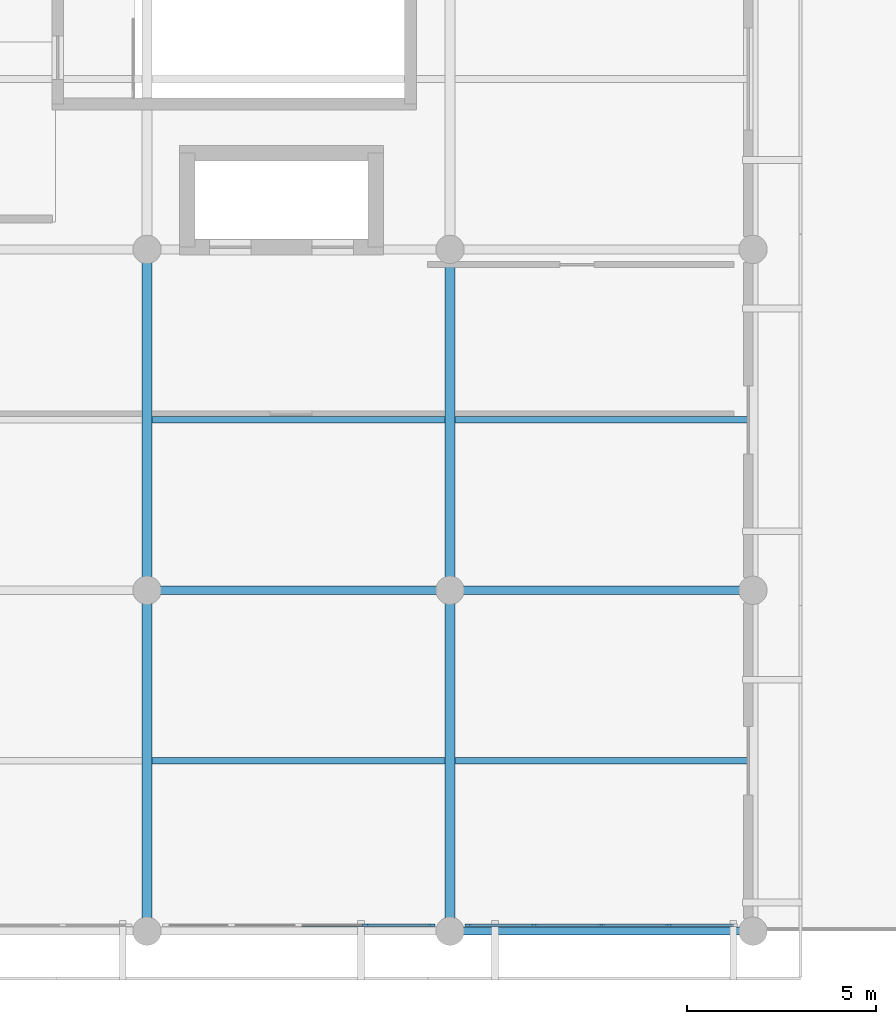
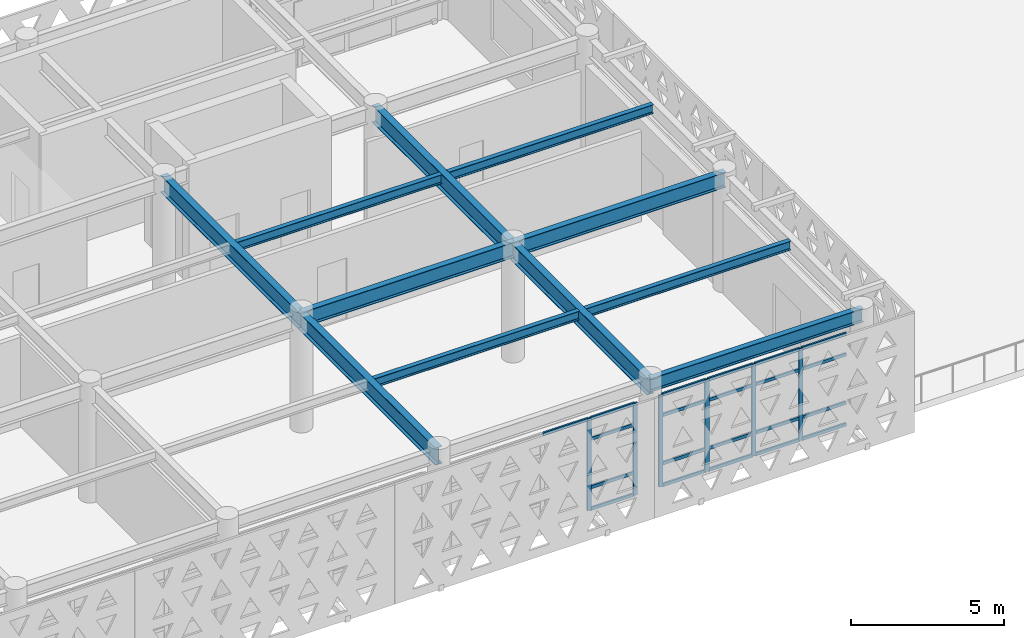
# One storey, part 11 of 26: 27 members, 11 beams, 2 elements without a shape of their own.
"""IFC4 building model written with IfcOpenShell, lengths in metres."""

from ifc_helpers import new_model, si_unit, direction, frame, origin, origin_2d, place, context, subcontext, project, spatial, rectangle, i_section, extrude, material, layer, layer_set, material_profile, profile_set, type_object, element, aggregate, save


model = new_model("IFC4")

# Units and contexts
model_context = context("Model", 3, precision=1e-05, world=origin(), true_north=direction((0.0, 1.0)))
body_context = subcontext(model_context, "Body", "Model", "MODEL_VIEW")
ifc_project = project(units=[si_unit("LENGTHUNIT", "METRE"), si_unit("AREAUNIT", "SQUARE_METRE"), si_unit("VOLUMEUNIT", "CUBIC_METRE"), si_unit("PLANEANGLEUNIT", "RADIAN"), si_unit("MASSUNIT", "GRAM", prefix="KILO")], contexts=[model_context])

# Site, building, storey
site_placement = place(None, origin())
site = spatial("IfcSite", under=ifc_project, at=site_placement, CompositionType="ELEMENT")
building_placement = place(site_placement, origin())
building = spatial("IfcBuilding", under=site, at=building_placement, Name="Tlacozan Convention Centre", CompositionType="ELEMENT")
storey_placement = place(building_placement, frame((0.0, 0.0, 21.0)))
storey = spatial("IfcBuildingStorey", under=building, at=storey_placement, Name="L04", CompositionType="ELEMENT", Elevation=21.0)

# Curtain wall, members
ifc_material_1 = material(Name="Dark Bronze Anodised Aluminium", Category="aluminium")
ifc_layer = layer(ifc_material_1, 0.159912109375)
ifc_layer_set = layer_set([ifc_layer], Name="Dark Bronze Anodised Aluminium")
curtain_wall_type = type_object("IfcCurtainWallType", Name="Unitised Congress L04 South CW05", PredefinedType="NOTDEFINED", material=ifc_layer_set)
curtain_wall_1_placement = place(storey_placement, origin())
curtain_wall_1 = element("IfcCurtainWall", 1, at=curtain_wall_1_placement, inside=storey, type_object=curtain_wall_type, Name="L04 CW-05 Run 132", PredefinedType="NOTDEFINED")
ifc_material_profile_1 = material_profile(ifc_material_1, rectangle(XDim=0.06494140625, YDim=0.159912109375, at=origin_2d()), Name="ALU 65x160")
ifc_profile_set_1 = profile_set([ifc_material_profile_1], Name="Dark Bronze Anodised Aluminium")
member_type_1 = type_object("IfcMemberType", Name="Curtain Wall Mullion 65x160", PredefinedType="MULLION", material=ifc_profile_set_1)
member_1_placement = place(storey_placement, frame((85.77490234375, 0.159912109375, 0.0), z_axis=(0.0, 0.0, 1.0), x_axis=(0.0, 1.0, 0.0)))
member_1 = element("IfcMember", 2, at=member_1_placement, type_object=member_type_1, Name="CW-05 mullion 4", PredefinedType="MULLION", context=body_context, shape_type="SweptSolid", body=[
    extrude(rectangle(XDim=0.06494140625, YDim=0.159912109375, at=origin_2d()), origin(), (0.0, 0.0, 1.0), 3.679931640625),
])
member_2_placement = place(storey_placement, frame((87.517578125, 0.159912109375, 0.0), z_axis=(0.0, 0.0, 1.0), x_axis=(0.0, 1.0, 0.0)))
member_2 = element("IfcMember", 3, at=member_2_placement, type_object=member_type_1, Name="CW-05 mullion 5", PredefinedType="MULLION", context=body_context, shape_type="SweptSolid", body=[
    extrude(rectangle(XDim=0.06494140625, YDim=0.159912109375, at=origin_2d()), origin(), (0.0, 0.0, 1.0), 3.679931640625),
])

curtain_wall_2_placement = place(storey_placement, origin())
curtain_wall_2 = element("IfcCurtainWall", 4, at=curtain_wall_2_placement, inside=storey, type_object=curtain_wall_type, Name="L04 CW-05 Run 133", PredefinedType="NOTDEFINED")
member_3_placement = place(storey_placement, frame((88.482421875, 0.159912109375, 0.0), z_axis=(0.0, 0.0, 1.0), x_axis=(0.0, 1.0, 0.0)))
member_3 = element("IfcMember", 5, at=member_3_placement, type_object=member_type_1, Name="CW-05 mullion 1", PredefinedType="MULLION", context=body_context, shape_type="SweptSolid", body=[
    extrude(rectangle(XDim=0.06494140625, YDim=0.159912109375, at=origin_2d()), origin(), (0.0, 0.0, 1.0), 3.679931640625),
])
member_4_placement = place(storey_placement, frame((90.22509765625, 0.159912109375, 0.0), z_axis=(0.0, 0.0, 1.0), x_axis=(0.0, 1.0, 0.0)))
member_4 = element("IfcMember", 6, at=member_4_placement, type_object=member_type_1, Name="CW-05 mullion 2", PredefinedType="MULLION", context=body_context, shape_type="SweptSolid", body=[
    extrude(rectangle(XDim=0.06494140625, YDim=0.159912109375, at=origin_2d()), origin(), (0.0, 0.0, 1.0), 3.679931640625),
])
member_5_placement = place(storey_placement, frame((92.0, 0.159912109375, 0.0), z_axis=(0.0, 0.0, 1.0), x_axis=(0.0, 1.0, 0.0)))
member_5 = element("IfcMember", 7, at=member_5_placement, type_object=member_type_1, Name="CW-05 mullion 3", PredefinedType="MULLION", context=body_context, shape_type="SweptSolid", body=[
    extrude(rectangle(XDim=0.06494140625, YDim=0.159912109375, at=origin_2d()), origin(), (0.0, 0.0, 1.0), 3.679931640625),
])
member_6_placement = place(storey_placement, frame((93.77490234375, 0.159912109375, 0.0), z_axis=(0.0, 0.0, 1.0), x_axis=(0.0, 1.0, 0.0)))
member_6 = element("IfcMember", 8, at=member_6_placement, type_object=member_type_1, Name="CW-05 mullion 4", PredefinedType="MULLION", context=body_context, shape_type="SweptSolid", body=[
    extrude(rectangle(XDim=0.06494140625, YDim=0.159912109375, at=origin_2d()), origin(), (0.0, 0.0, 1.0), 3.679931640625),
])

# Member
ifc_material_profile_2 = material_profile(ifc_material_1, rectangle(XDim=0.06494140625, YDim=0.125, at=origin_2d()), Name="ALU 65x125")
ifc_profile_set_2 = profile_set([ifc_material_profile_2], Name="Dark Bronze Anodised Aluminium")
member_type_2 = type_object("IfcMemberType", Name="Curtain Wall Transom 65x125", PredefinedType="USERDEFINED", material=ifc_profile_set_2)
member_7_placement = place(storey_placement, frame((84.032470703125, 0.159912109375, 3.6474609375), z_axis=(1.0, 0.0, 0.0), x_axis=(0.0, 1.0, 0.0)))
member_7 = element("IfcMember", 9, at=member_7_placement, type_object=member_type_2, Name="CW-05 transom 3.4", ObjectType="TRANSOM", PredefinedType="USERDEFINED", context=body_context, shape_type="SweptSolid", body=[
    extrude(rectangle(XDim=0.06494140625, YDim=0.125, at=origin_2d()), origin(), (0.0, 0.0, 1.0), 1.7099609375),
])

member_8_placement = place(storey_placement, frame((85.8076171875, 0.159912109375, 0.032470703125), z_axis=(1.0, 0.0, 0.0), x_axis=(0.0, 1.0, 0.0)))
member_8 = element("IfcMember", 10, at=member_8_placement, type_object=member_type_2, Name="CW-05 transom 4.1", ObjectType="TRANSOM", PredefinedType="USERDEFINED", context=body_context, shape_type="SweptSolid", body=[
    extrude(rectangle(XDim=0.06494140625, YDim=0.125, at=origin_2d()), origin(), (0.0, 0.0, 1.0), 1.677490234375),
])

member_9_placement = place(storey_placement, frame((85.8076171875, 0.159912109375, 0.89990234375), z_axis=(1.0, 0.0, 0.0), x_axis=(0.0, 1.0, 0.0)))
member_9 = element("IfcMember", 11, at=member_9_placement, type_object=member_type_2, Name="CW-05 transom 4.2", ObjectType="TRANSOM", PredefinedType="USERDEFINED", context=body_context, shape_type="SweptSolid", body=[
    extrude(rectangle(XDim=0.06494140625, YDim=0.125, at=origin_2d()), origin(), (0.0, 0.0, 1.0), 1.677490234375),
])

member_10_placement = place(storey_placement, frame((85.8076171875, 0.159912109375, 2.830078125), z_axis=(1.0, 0.0, 0.0), x_axis=(0.0, 1.0, 0.0)))
member_10 = element("IfcMember", 12, at=member_10_placement, type_object=member_type_2, Name="CW-05 transom 4.3", ObjectType="TRANSOM", PredefinedType="USERDEFINED", context=body_context, shape_type="SweptSolid", body=[
    extrude(rectangle(XDim=0.06494140625, YDim=0.125, at=origin_2d()), origin(), (0.0, 0.0, 1.0), 1.677490234375),
])

member_11_placement = place(storey_placement, frame((85.8076171875, 0.159912109375, 3.6474609375), z_axis=(1.0, 0.0, 0.0), x_axis=(0.0, 1.0, 0.0)))
member_11 = element("IfcMember", 13, at=member_11_placement, type_object=member_type_2, Name="CW-05 transom 4.4", ObjectType="TRANSOM", PredefinedType="USERDEFINED", context=body_context, shape_type="SweptSolid", body=[
    extrude(rectangle(XDim=0.06494140625, YDim=0.125, at=origin_2d()), origin(), (0.0, 0.0, 1.0), 1.677490234375),
])

aggregate(curtain_wall_1, [member_1, member_2, member_7, member_8, member_9, member_10, member_11])

member_12_placement = place(storey_placement, frame((88.514892578125, 0.159912109375, 0.032470703125), z_axis=(1.0, 0.0, 0.0), x_axis=(0.0, 1.0, 0.0)))
member_12 = element("IfcMember", 14, at=member_12_placement, type_object=member_type_2, Name="CW-05 transom 1.1", ObjectType="TRANSOM", PredefinedType="USERDEFINED", context=body_context, shape_type="SweptSolid", body=[
    extrude(rectangle(XDim=0.06494140625, YDim=0.125, at=origin_2d()), origin(), (0.0, 0.0, 1.0), 1.677490234375),
])

member_13_placement = place(storey_placement, frame((88.514892578125, 0.159912109375, 0.89990234375), z_axis=(1.0, 0.0, 0.0), x_axis=(0.0, 1.0, 0.0)))
member_13 = element("IfcMember", 15, at=member_13_placement, type_object=member_type_2, Name="CW-05 transom 1.2", ObjectType="TRANSOM", PredefinedType="USERDEFINED", context=body_context, shape_type="SweptSolid", body=[
    extrude(rectangle(XDim=0.06494140625, YDim=0.125, at=origin_2d()), origin(), (0.0, 0.0, 1.0), 1.677490234375),
])

member_14_placement = place(storey_placement, frame((88.514892578125, 0.159912109375, 2.830078125), z_axis=(1.0, 0.0, 0.0), x_axis=(0.0, 1.0, 0.0)))
member_14 = element("IfcMember", 16, at=member_14_placement, type_object=member_type_2, Name="CW-05 transom 1.3", ObjectType="TRANSOM", PredefinedType="USERDEFINED", context=body_context, shape_type="SweptSolid", body=[
    extrude(rectangle(XDim=0.06494140625, YDim=0.125, at=origin_2d()), origin(), (0.0, 0.0, 1.0), 1.677490234375),
])

member_15_placement = place(storey_placement, frame((88.514892578125, 0.159912109375, 3.6474609375), z_axis=(1.0, 0.0, 0.0), x_axis=(0.0, 1.0, 0.0)))
member_15 = element("IfcMember", 17, at=member_15_placement, type_object=member_type_2, Name="CW-05 transom 1.4", ObjectType="TRANSOM", PredefinedType="USERDEFINED", context=body_context, shape_type="SweptSolid", body=[
    extrude(rectangle(XDim=0.06494140625, YDim=0.125, at=origin_2d()), origin(), (0.0, 0.0, 1.0), 1.677490234375),
])

member_16_placement = place(storey_placement, frame((90.257568359375, 0.159912109375, 0.032470703125), z_axis=(1.0, 0.0, 0.0), x_axis=(0.0, 1.0, 0.0)))
member_16 = element("IfcMember", 18, at=member_16_placement, type_object=member_type_2, Name="CW-05 transom 2.1", ObjectType="TRANSOM", PredefinedType="USERDEFINED", context=body_context, shape_type="SweptSolid", body=[
    extrude(rectangle(XDim=0.06494140625, YDim=0.125, at=origin_2d()), origin(), (0.0, 0.0, 1.0), 1.7099609375),
])

member_17_placement = place(storey_placement, frame((90.257568359375, 0.159912109375, 0.89990234375), z_axis=(1.0, 0.0, 0.0), x_axis=(0.0, 1.0, 0.0)))
member_17 = element("IfcMember", 19, at=member_17_placement, type_object=member_type_2, Name="CW-05 transom 2.2", ObjectType="TRANSOM", PredefinedType="USERDEFINED", context=body_context, shape_type="SweptSolid", body=[
    extrude(rectangle(XDim=0.06494140625, YDim=0.125, at=origin_2d()), origin(), (0.0, 0.0, 1.0), 1.7099609375),
])

member_18_placement = place(storey_placement, frame((90.257568359375, 0.159912109375, 2.830078125), z_axis=(1.0, 0.0, 0.0), x_axis=(0.0, 1.0, 0.0)))
member_18 = element("IfcMember", 20, at=member_18_placement, type_object=member_type_2, Name="CW-05 transom 2.3", ObjectType="TRANSOM", PredefinedType="USERDEFINED", context=body_context, shape_type="SweptSolid", body=[
    extrude(rectangle(XDim=0.06494140625, YDim=0.125, at=origin_2d()), origin(), (0.0, 0.0, 1.0), 1.7099609375),
])

member_19_placement = place(storey_placement, frame((90.257568359375, 0.159912109375, 3.6474609375), z_axis=(1.0, 0.0, 0.0), x_axis=(0.0, 1.0, 0.0)))
member_19 = element("IfcMember", 21, at=member_19_placement, type_object=member_type_2, Name="CW-05 transom 2.4", ObjectType="TRANSOM", PredefinedType="USERDEFINED", context=body_context, shape_type="SweptSolid", body=[
    extrude(rectangle(XDim=0.06494140625, YDim=0.125, at=origin_2d()), origin(), (0.0, 0.0, 1.0), 1.7099609375),
])

member_20_placement = place(storey_placement, frame((92.032470703125, 0.159912109375, 0.032470703125), z_axis=(1.0, 0.0, 0.0), x_axis=(0.0, 1.0, 0.0)))
member_20 = element("IfcMember", 22, at=member_20_placement, type_object=member_type_2, Name="CW-05 transom 3.1", ObjectType="TRANSOM", PredefinedType="USERDEFINED", context=body_context, shape_type="SweptSolid", body=[
    extrude(rectangle(XDim=0.06494140625, YDim=0.125, at=origin_2d()), origin(), (0.0, 0.0, 1.0), 1.7099609375),
])

member_21_placement = place(storey_placement, frame((92.032470703125, 0.159912109375, 0.89990234375), z_axis=(1.0, 0.0, 0.0), x_axis=(0.0, 1.0, 0.0)))
member_21 = element("IfcMember", 23, at=member_21_placement, type_object=member_type_2, Name="CW-05 transom 3.2", ObjectType="TRANSOM", PredefinedType="USERDEFINED", context=body_context, shape_type="SweptSolid", body=[
    extrude(rectangle(XDim=0.06494140625, YDim=0.125, at=origin_2d()), origin(), (0.0, 0.0, 1.0), 1.7099609375),
])

member_22_placement = place(storey_placement, frame((92.032470703125, 0.159912109375, 2.830078125), z_axis=(1.0, 0.0, 0.0), x_axis=(0.0, 1.0, 0.0)))
member_22 = element("IfcMember", 24, at=member_22_placement, type_object=member_type_2, Name="CW-05 transom 3.3", ObjectType="TRANSOM", PredefinedType="USERDEFINED", context=body_context, shape_type="SweptSolid", body=[
    extrude(rectangle(XDim=0.06494140625, YDim=0.125, at=origin_2d()), origin(), (0.0, 0.0, 1.0), 1.7099609375),
])

member_23_placement = place(storey_placement, frame((92.032470703125, 0.159912109375, 3.6474609375), z_axis=(1.0, 0.0, 0.0), x_axis=(0.0, 1.0, 0.0)))
member_23 = element("IfcMember", 25, at=member_23_placement, type_object=member_type_2, Name="CW-05 transom 3.4", ObjectType="TRANSOM", PredefinedType="USERDEFINED", context=body_context, shape_type="SweptSolid", body=[
    extrude(rectangle(XDim=0.06494140625, YDim=0.125, at=origin_2d()), origin(), (0.0, 0.0, 1.0), 1.7099609375),
])

member_24_placement = place(storey_placement, frame((93.8076171875, 0.159912109375, 0.032470703125), z_axis=(1.0, 0.0, 0.0), x_axis=(0.0, 1.0, 0.0)))
member_24 = element("IfcMember", 26, at=member_24_placement, type_object=member_type_2, Name="CW-05 transom 4.1", ObjectType="TRANSOM", PredefinedType="USERDEFINED", context=body_context, shape_type="SweptSolid", body=[
    extrude(rectangle(XDim=0.06494140625, YDim=0.125, at=origin_2d()), origin(), (0.0, 0.0, 1.0), 1.677490234375),
])

member_25_placement = place(storey_placement, frame((93.8076171875, 0.159912109375, 0.89990234375), z_axis=(1.0, 0.0, 0.0), x_axis=(0.0, 1.0, 0.0)))
member_25 = element("IfcMember", 27, at=member_25_placement, type_object=member_type_2, Name="CW-05 transom 4.2", ObjectType="TRANSOM", PredefinedType="USERDEFINED", context=body_context, shape_type="SweptSolid", body=[
    extrude(rectangle(XDim=0.06494140625, YDim=0.125, at=origin_2d()), origin(), (0.0, 0.0, 1.0), 1.677490234375),
])

member_26_placement = place(storey_placement, frame((93.8076171875, 0.159912109375, 2.830078125), z_axis=(1.0, 0.0, 0.0), x_axis=(0.0, 1.0, 0.0)))
member_26 = element("IfcMember", 28, at=member_26_placement, type_object=member_type_2, Name="CW-05 transom 4.3", ObjectType="TRANSOM", PredefinedType="USERDEFINED", context=body_context, shape_type="SweptSolid", body=[
    extrude(rectangle(XDim=0.06494140625, YDim=0.125, at=origin_2d()), origin(), (0.0, 0.0, 1.0), 1.677490234375),
])

member_27_placement = place(storey_placement, frame((93.8076171875, 0.159912109375, 3.6474609375), z_axis=(1.0, 0.0, 0.0), x_axis=(0.0, 1.0, 0.0)))
member_27 = element("IfcMember", 29, at=member_27_placement, type_object=member_type_2, Name="CW-05 transom 4.4", ObjectType="TRANSOM", PredefinedType="USERDEFINED", context=body_context, shape_type="SweptSolid", body=[
    extrude(rectangle(XDim=0.06494140625, YDim=0.125, at=origin_2d()), origin(), (0.0, 0.0, 1.0), 1.677490234375),
])

aggregate(curtain_wall_2, [member_3, member_4, member_5, member_6, member_12, member_13, member_14, member_15, member_16, member_17, member_18, member_19, member_20, member_21, member_22, member_23, member_24, member_25, member_26, member_27])

# Beams
ifc_material_2 = material(Name="Steel ASTM A992 Grade 50", Category="steel")
ifc_material_profile_3 = material_profile(ifc_material_2, i_section(OverallWidth=0.22900390625, OverallDepth=0.612060546875, WebThickness=0.011962890625, FlangeThickness=0.01953125, FilletRadius=0.012939453125, at=origin_2d()), Name="IR 610x125.0")
ifc_profile_set_3 = profile_set([ifc_material_profile_3], Name="Steel ASTM A992 Grade 50")
beam_type_1 = type_object("IfcBeamType", Name="Floor Beam IR 610x125", PredefinedType="BEAM", material=ifc_profile_set_3)
for number, where, z_axis, x_axis, name in (
    (30, (80.0, 9.0, 4.333984375), (1.0, 0.0, 0.0), (0.0, 1.0, 0.0), "L04 Floor Beam IR 610x125 726"),
    (31, (88.0, 9.0, 4.333984375), (1.0, 0.0, 0.0), (0.0, 1.0, 0.0), "L04 Floor Beam IR 610x125 730"),
):
    element("IfcBeam", number, at=place(storey_placement, frame(where, z_axis=z_axis, x_axis=x_axis)), inside=storey, type_object=beam_type_1, Name=name, PredefinedType="BEAM", context=body_context, shape_type="SweptSolid", body=[
        extrude(i_section(OverallWidth=0.22900390625, OverallDepth=0.612060546875, WebThickness=0.011962890625, FlangeThickness=0.01953125, FilletRadius=0.012939453125, at=origin_2d()), origin(), (0.0, 0.0, 1.0), 8.0),
    ])
ifc_material_profile_4 = material_profile(ifc_material_2, i_section(OverallWidth=0.256103515625, OverallDepth=0.693115234375, WebThickness=0.014404296875, FlangeThickness=0.023681640625, FilletRadius=0.014892578125, at=origin_2d()), Name="IR 686x170.0")
ifc_profile_set_4 = profile_set([ifc_material_profile_4], Name="Steel ASTM A992 Grade 50")
beam_type_2 = type_object("IfcBeamType", Name="Girder Steel IR 686x170", PredefinedType="BEAM", material=ifc_profile_set_4)
for number, where, z_axis, x_axis, name in (
    (32, (80.0, 0.0, 4.29345703125), (0.0, 1.0, 0.0), (-1.0, 0.0, 0.0), "L04 Girder Steel IR 686x170 677"),
    (33, (80.0, 9.0, 4.29345703125), (0.0, 1.0, 0.0), (-1.0, 0.0, 0.0), "L04 Girder Steel IR 686x170 678"),
    (34, (88.0, 0.0, 4.29345703125), (0.0, 1.0, 0.0), (-1.0, 0.0, 0.0), "L04 Girder Steel IR 686x170 680"),
    (35, (88.0, 9.0, 4.29345703125), (0.0, 1.0, 0.0), (-1.0, 0.0, 0.0), "L04 Girder Steel IR 686x170 681"),
):
    element("IfcBeam", number, at=place(storey_placement, frame(where, z_axis=z_axis, x_axis=x_axis)), inside=storey, type_object=beam_type_2, Name=name, PredefinedType="BEAM", context=body_context, shape_type="SweptSolid", body=[
        extrude(i_section(OverallWidth=0.256103515625, OverallDepth=0.693115234375, WebThickness=0.014404296875, FlangeThickness=0.023681640625, FilletRadius=0.014892578125, at=origin_2d()), origin(), (0.0, 0.0, 1.0), 9.0),
    ])
ifc_material_profile_5 = material_profile(ifc_material_2, i_section(OverallWidth=0.2109375, OverallDepth=0.5390625, WebThickness=0.01171875, FlangeThickness=0.018798828125, FilletRadius=0.012939453125, at=origin_2d()), Name="IR 533x109.0")
ifc_profile_set_5 = profile_set([ifc_material_profile_5], Name="Steel ASTM A992 Grade 50")
beam_type_3 = type_object("IfcBeamType", Name="Perimeter Spandrel IR 533x109", PredefinedType="SPANDREL", material=ifc_profile_set_5)
beam_placement = place(storey_placement, frame((88.0, 0.0, 4.37060546875), z_axis=(1.0, 0.0, 0.0), x_axis=(0.0, 1.0, 0.0)))
element("IfcBeam", 36, at=beam_placement, inside=storey, type_object=beam_type_3, Name="L04 Perimeter Spandrel IR 533x109 729", PredefinedType="SPANDREL", context=body_context, shape_type="SweptSolid", body=[
    extrude(i_section(OverallWidth=0.2109375, OverallDepth=0.5390625, WebThickness=0.01171875, FlangeThickness=0.018798828125, FilletRadius=0.012939453125, at=origin_2d()), origin(), (0.0, 0.0, 1.0), 8.0),
])
ifc_material_profile_6 = material_profile(ifc_material_2, i_section(OverallWidth=0.173095703125, OverallDepth=0.364013671875, WebThickness=0.009033203125, FlangeThickness=0.015625, FilletRadius=0.010009765625, at=origin_2d()), Name="IR 356x67.1")
ifc_profile_set_6 = profile_set([ifc_material_profile_6], Name="Steel ASTM A992 Grade 50")
beam_type_4 = type_object("IfcBeamType", Name="Secondary Joist IR 356x67.1", PredefinedType="JOIST", material=ifc_profile_set_6)
for number, where, z_axis, x_axis, name in (
    (37, (80.1259765625, 4.5, 4.4580078125), (1.0, 0.0, 0.0), (0.0, 1.0, 0.0), "L04 Secondary Joist IR 356x67.1 763"),
    (38, (80.1259765625, 13.5, 4.4580078125), (1.0, 0.0, 0.0), (0.0, 1.0, 0.0), "L04 Secondary Joist IR 356x67.1 764"),
    (39, (88.1259765625, 4.5, 4.4580078125), (1.0, 0.0, 0.0), (0.0, 1.0, 0.0), "L04 Secondary Joist IR 356x67.1 766"),
    (40, (88.1259765625, 13.5, 4.4580078125), (1.0, 0.0, 0.0), (0.0, 1.0, 0.0), "L04 Secondary Joist IR 356x67.1 767"),
):
    element("IfcBeam", number, at=place(storey_placement, frame(where, z_axis=z_axis, x_axis=x_axis)), inside=storey, type_object=beam_type_4, Name=name, PredefinedType="JOIST", context=body_context, shape_type="SweptSolid", body=[
        extrude(i_section(OverallWidth=0.173095703125, OverallDepth=0.364013671875, WebThickness=0.009033203125, FlangeThickness=0.015625, FilletRadius=0.010009765625, at=origin_2d()), origin(), (0.0, 0.0, 1.0), 7.748046875),
    ])

save(model, "model.ifc")
